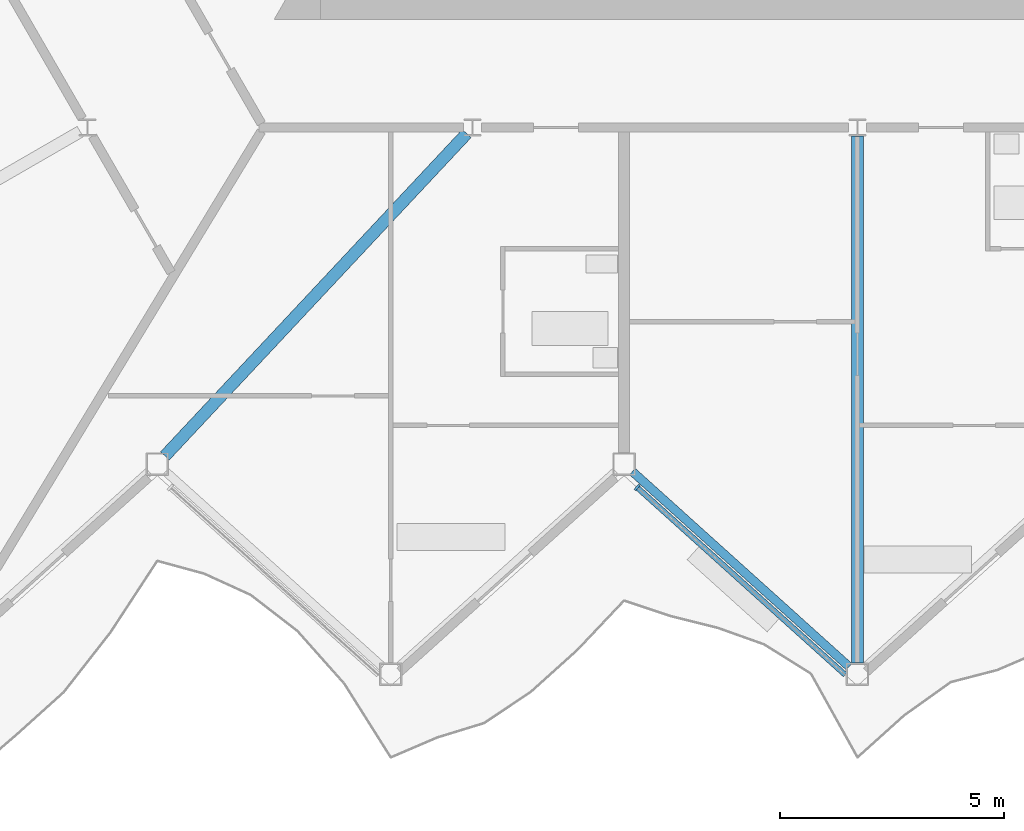
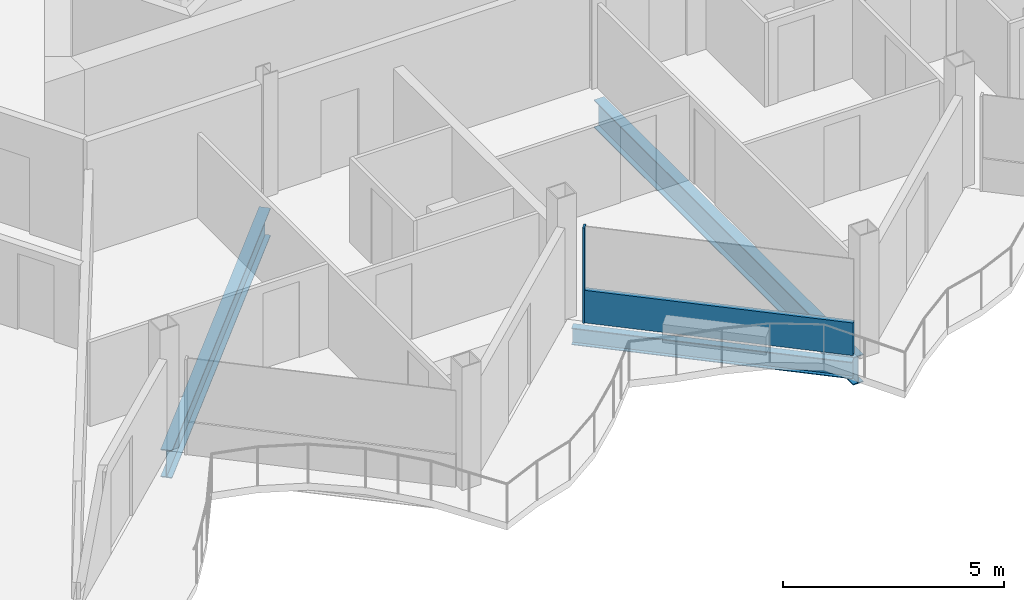
# One storey, part 5 of 25: 3 beams, 2 members, 1 element without a shape of its own.
"""IFC4 building model written with IfcOpenShell, lengths in metres."""

from ifc_helpers import new_model, si_unit, direction, frame, origin, origin_2d, place, context, subcontext, project, spatial, rectangle, i_section, extrude, material, layer, layer_set, material_profile, profile_set, type_object, element, aggregate, save


model = new_model("IFC4")

# Units and contexts
model_context = context("Model", 3, precision=1e-05, world=origin(), true_north=direction((0.0, 1.0)))
body_context = subcontext(model_context, "Body", "Model", "MODEL_VIEW")
ifc_project = project(units=[si_unit("LENGTHUNIT", "METRE"), si_unit("AREAUNIT", "SQUARE_METRE"), si_unit("VOLUMEUNIT", "CUBIC_METRE"), si_unit("PLANEANGLEUNIT", "RADIAN"), si_unit("MASSUNIT", "GRAM", prefix="KILO")], contexts=[model_context])

# Site, building, storey
site_placement = place(None, origin())
site = spatial("IfcSite", under=ifc_project, at=site_placement, CompositionType="ELEMENT")
building_placement = place(site_placement, origin())
building = spatial("IfcBuilding", under=site, at=building_placement, Name="Cormorant Prow Tower", CompositionType="ELEMENT")
storey_placement = place(building_placement, frame((0.0, 0.0, 395.0)))
storey = spatial("IfcBuildingStorey", under=building, at=storey_placement, Name="L90", CompositionType="ELEMENT", Elevation=395.0)

# Beams
ifc_material_1 = material(Name="Structural steel ASTM A992 Gr 50", Category="steel")
ifc_material_profile_1 = material_profile(ifc_material_1, i_section(OverallWidth=0.267822265625, OverallDepth=0.77001953125, WebThickness=0.015625, FlangeThickness=0.025390625, at=origin_2d()), Name="W30x132")
ifc_profile_set_1 = profile_set([ifc_material_profile_1], Name="Structural steel ASTM A992 Gr 50")
beam_type_1 = type_object("IfcBeamType", Name="Radial floor beam W30x132", PredefinedType="BEAM", material=ifc_profile_set_1)
beam_1_placement = place(storey_placement, frame((-8.706298828125, -10.0419921875, -0.68505859375), z_axis=(-0.683430760659, -0.730015339144, 0.0), x_axis=(0.730015339144, -0.683430760659, 0.0)))
element("IfcBeam", 1, at=beam_1_placement, inside=storey, type_object=beam_type_1, Name="Radial floor beam FB3 6 L90", PredefinedType="BEAM", context=body_context, shape_type="SweptSolid", body=[
    extrude(i_section(OverallWidth=0.267822265625, OverallDepth=0.77001953125, WebThickness=0.015625, FlangeThickness=0.025390625, at=origin_2d()), origin(), (0.0, 0.0, 1.0), 9.8369140625),
])
beam_2_placement = place(storey_placement, frame((0.0, -10.092529296875, -0.68505859375), z_axis=(0.0, -1.0, 0.0), x_axis=(1.0, 0.0, 0.0)))
element("IfcBeam", 2, at=beam_2_placement, inside=storey, type_object=beam_type_1, Name="Radial floor beam FB3 7 L90", PredefinedType="BEAM", context=body_context, shape_type="SweptSolid", body=[
    extrude(i_section(OverallWidth=0.267822265625, OverallDepth=0.77001953125, WebThickness=0.015625, FlangeThickness=0.025390625, at=origin_2d()), origin(), (0.0, 0.0, 1.0), 11.745361328125),
])

# Curtain wall, members
ifc_material_2 = material(Name="Aluminium 6063-T6", Category="aluminium")
ifc_layer = layer(ifc_material_2, 0.159912109375)
ifc_layer_set = layer_set([ifc_layer], Name="Aluminium 6063-T6")
curtain_wall_type = type_object("IfcCurtainWallType", Name="Residential unitised curtain wall 160", PredefinedType="NOTDEFINED", material=ifc_layer_set)
curtain_wall_placement = place(storey_placement, origin())
curtain_wall = element("IfcCurtainWall", 3, at=curtain_wall_placement, inside=storey, type_object=curtain_wall_type, Name="Residential curtain wall S04", PredefinedType="NOTDEFINED")
ifc_material_3 = material(Name="Aluminium 6063-T6", Category="aluminium")
ifc_material_profile_2 = material_profile(ifc_material_3, rectangle(XDim=0.159912109375, YDim=0.050048828125, at=origin_2d()), Name="Residential mullion 50x160")
ifc_profile_set_2 = profile_set([ifc_material_profile_2], Name="Aluminium 6063-T6")
member_type_1 = type_object("IfcMemberType", Name="Residential mullion 50x160", PredefinedType="MULLION", material=ifc_profile_set_2)
member_1_placement = place(storey_placement, frame((-4.909423828125, -17.926513671875, 0.0), z_axis=(0.0, 0.0, 1.0), x_axis=(0.669130603959, 0.743144827638, 0.0)))
member_1 = element("IfcMember", 4, at=member_1_placement, type_object=member_type_1, Name="Residential mullion S04", PredefinedType="MULLION", context=body_context, shape_type="SweptSolid", body=[
    extrude(rectangle(XDim=0.159912109375, YDim=0.050048828125, at=origin_2d()), origin(), (0.0, 0.0, 1.0), 2.6337890625),
])
ifc_material_4 = material(Name="Terracotta", Category="masonry")
ifc_material_profile_3 = material_profile(ifc_material_4, rectangle(XDim=0.1201171875, YDim=0.89990234375, at=origin_2d()), Name="Residential terracotta spandrel rail 120x900")
ifc_profile_set_3 = profile_set([ifc_material_profile_3], Name="Terracotta")
member_type_2 = type_object("IfcMemberType", Name="Residential terracotta spandrel rail 120x900", PredefinedType="USERDEFINED", material=ifc_profile_set_3)
member_2_placement = place(storey_placement, frame((-4.890869140625, -17.943115234375, 0.449951171875), z_axis=(0.743139827378, -0.669136157269, 0.0), x_axis=(0.669136157269, 0.743139827378, 0.0)))
member_2 = element("IfcMember", 5, at=member_2_placement, type_object=member_type_2, Name="Residential spandrel rail S04", ObjectType="TRANSOM", PredefinedType="USERDEFINED", context=body_context, shape_type="SweptSolid", body=[
    extrude(rectangle(XDim=0.1201171875, YDim=0.89990234375, at=origin_2d()), origin(), (0.0, 0.0, 1.0), 6.21533203125),
])
aggregate(curtain_wall, [member_1, member_2])

# Beam
ifc_material_5 = material(Name="Structural steel ASTM A992 Gr 50", Category="steel")
ifc_material_profile_4 = material_profile(ifc_material_5, i_section(OverallWidth=0.19287109375, OverallDepth=0.466064453125, WebThickness=0.011474609375, FlangeThickness=0.01904296875, at=origin_2d()), Name="W18x65")
ifc_profile_set_4 = profile_set([ifc_material_profile_4], Name="Structural steel ASTM A992 Gr 50")
beam_type_2 = type_object("IfcBeamType", Name="Spandrel beam W18x65", PredefinedType="SPANDREL", material=ifc_profile_set_4)
beam_3_placement = place(storey_placement, frame((-5.01416015625, -17.572998046875, -0.532958984375), z_axis=(0.743131573737, -0.669145323614, 0.0), x_axis=(0.669145323614, 0.743131573737, 0.0)))
element("IfcBeam", 6, at=beam_3_placement, inside=storey, type_object=beam_type_2, Name="Spandrel beam SB4 S04-S05 L90", PredefinedType="SPANDREL", context=body_context, shape_type="SweptSolid", body=[
    extrude(i_section(OverallWidth=0.19287109375, OverallDepth=0.466064453125, WebThickness=0.011474609375, FlangeThickness=0.01904296875, at=origin_2d()), origin(), (0.0, 0.0, 1.0), 6.497314453125),
])

save(model, "model.ifc")
